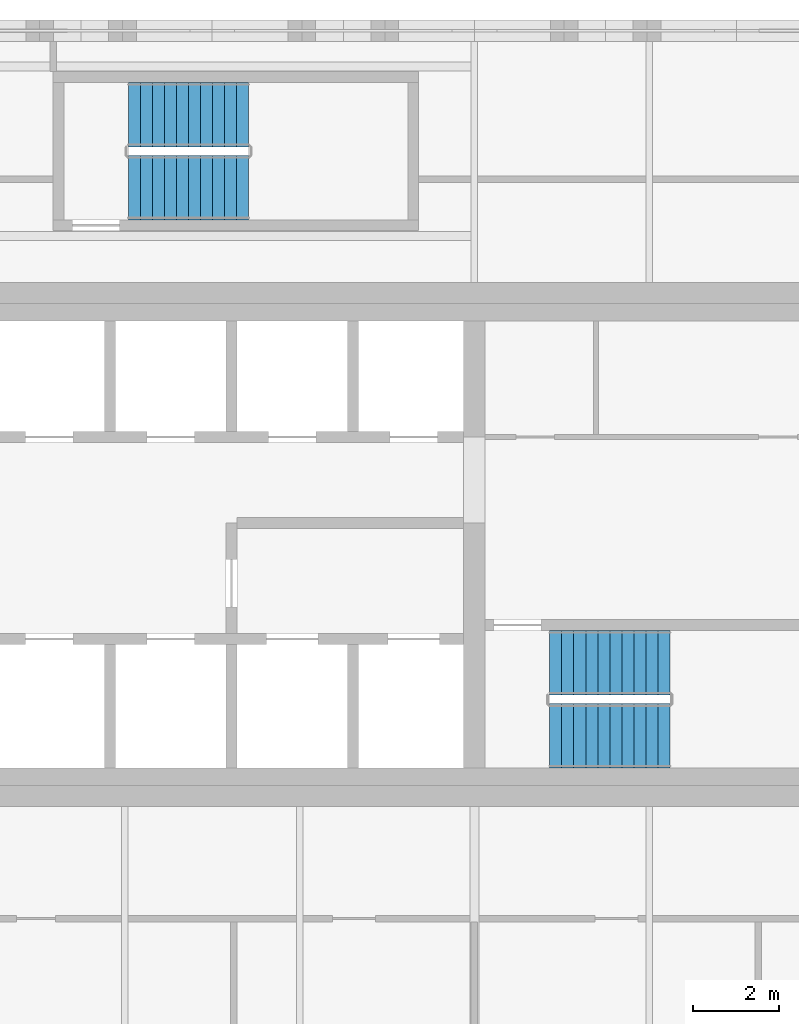
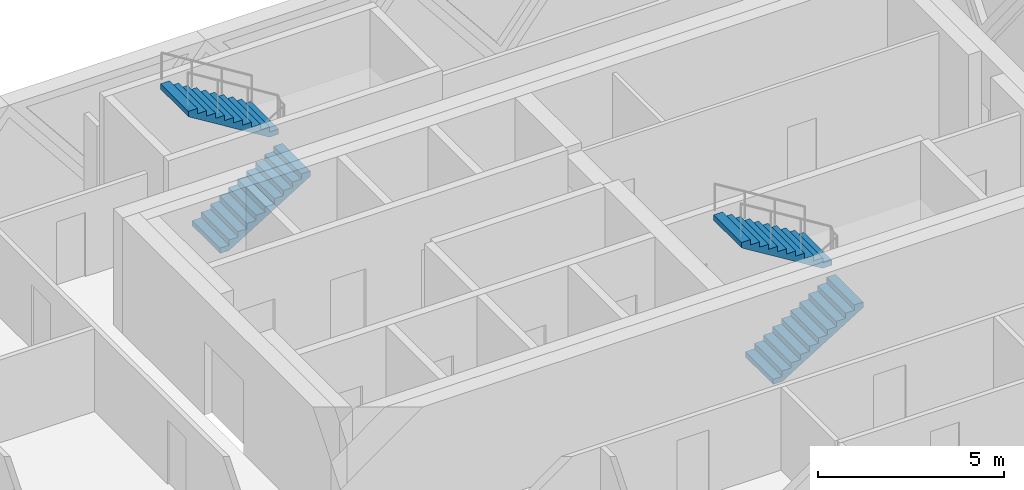
# One storey, part 22 of 24: 4 stair flights, 2 elements without a shape of their own.
"""IFC4 building model written with IfcOpenShell, lengths in metres."""

from ifc_helpers import new_model, si_unit, direction, frame, origin, place, context, subcontext, project, spatial, polyline, outline, extrude, material, type_object, element, aggregate, save


model = new_model("IFC4")

# Units and contexts
model_context = context("Model", 3, precision=1e-05, world=origin(), true_north=direction((0.0, 1.0)))
body_context = subcontext(model_context, "Body", "Model", "MODEL_VIEW")
ifc_project = project(units=[si_unit("LENGTHUNIT", "METRE"), si_unit("AREAUNIT", "SQUARE_METRE"), si_unit("VOLUMEUNIT", "CUBIC_METRE"), si_unit("PLANEANGLEUNIT", "RADIAN"), si_unit("MASSUNIT", "GRAM", prefix="KILO")], contexts=[model_context])

# Site, building, storey
site_placement = place(None, origin())
site = spatial("IfcSite", under=ifc_project, at=site_placement, CompositionType="ELEMENT")
building_placement = place(site_placement, origin())
building = spatial("IfcBuilding", under=site, at=building_placement, Name="Tessera Gate Towers", CompositionType="ELEMENT")
storey_placement = place(building_placement, frame((0.0, 0.0, 102.800048828125)))
storey = spatial("IfcBuildingStorey", under=building, at=storey_placement, Name="L25", CompositionType="ELEMENT", Elevation=102.800048828125)

# Stair, stair flights
ifc_material_1 = material(Name="Concrete C40/50", Category="concrete")
stair_type_1 = type_object("IfcStairType", Name="EXIT STAIR ST6 1500", PredefinedType="HALF_TURN_STAIR", material=ifc_material_1)
stair_1_placement = place(storey_placement, origin())
stair_1 = element("IfcStair", 1, at=stair_1_placement, inside=storey, type_object=stair_type_1, Name="L25 Protected Exit Stair ST6", PredefinedType="HALF_TURN_STAIR")
ifc_material_2 = material(Name="Concrete C40/50", Category="concrete")
stair_flight_type_1 = type_object("IfcStairFlightType", Name="EXIT STAIR FLIGHT ST6 1500", PredefinedType="STRAIGHT", material=ifc_material_2)
stair_flight_1_placement = place(storey_placement, frame((111.550048828125, 38.25, 0.0), z_axis=(0.0, 0.0, 1.0), x_axis=(1.0, 0.0, 0.0)))
stair_flight_1 = element("IfcStairFlight", 2, at=stair_flight_1_placement, type_object=stair_flight_type_1, Name="ST6 flight 1", NumberOfRisers=11, NumberOfTreads=10, PredefinedType="STRAIGHT", RiserHeight=0.172727273, TreadLength=0.28, context=body_context, shape_type="SweptSolid", body=[
    extrude(outline(polyline([(0.0, 0.0), (0.0, 0.172607421875), (0.280029296875, 0.172607421875), (0.280029296875, 0.345458984375), (0.56005859375, 0.345458984375), (0.56005859375, 0.51806640625), (0.840087890625, 0.51806640625), (0.840087890625, 0.69091796875), (1.1201171875, 0.69091796875), (1.1201171875, 0.863525390625), (1.39990234375, 0.863525390625), (1.39990234375, 1.036376953125), (1.679931640625, 1.036376953125), (1.679931640625, 1.208984375), (1.9599609375, 1.208984375), (1.9599609375, 1.3818359375), (2.239990234375, 1.3818359375), (2.239990234375, 1.554443359375), (2.52001953125, 1.554443359375), (2.52001953125, 1.727294921875), (2.800048828125, 1.727294921875), (2.800048828125, 1.89990234375), (2.800048828125, 1.551025390625), (0.285400390625, 0.0), (0.0, 0.0)])), frame((0.0, 0.75, 0.0), z_axis=(0.0, -1.0, 0.0), x_axis=(1.0, 0.0, 0.0)), (0.0, 0.0, 1.0), 1.5),
])
stair_flight_2_placement = place(storey_placement, frame((114.35009765625, 39.949951171875, 1.89990234375), z_axis=(0.0, 0.0, 1.0), x_axis=(-1.0, 0.0, 0.0)))
stair_flight_2 = element("IfcStairFlight", 3, at=stair_flight_2_placement, type_object=stair_flight_type_1, Name="ST6 flight 2", NumberOfRisers=11, NumberOfTreads=10, PredefinedType="STRAIGHT", RiserHeight=0.172727273, TreadLength=0.28, context=body_context, shape_type="SweptSolid", body=[
    extrude(outline(polyline([(0.0, 0.0), (0.0, 0.172607421875), (0.280029296875, 0.172607421875), (0.280029296875, 0.345458984375), (0.56005859375, 0.345458984375), (0.56005859375, 0.51806640625), (0.840087890625, 0.51806640625), (0.840087890625, 0.69091796875), (1.1201171875, 0.69091796875), (1.1201171875, 0.863525390625), (1.39990234375, 0.863525390625), (1.39990234375, 1.036376953125), (1.679931640625, 1.036376953125), (1.679931640625, 1.208984375), (1.9599609375, 1.208984375), (1.9599609375, 1.3818359375), (2.239990234375, 1.3818359375), (2.239990234375, 1.554443359375), (2.52001953125, 1.554443359375), (2.52001953125, 1.727294921875), (2.800048828125, 1.727294921875), (2.800048828125, 1.89990234375), (2.800048828125, 1.551025390625), (0.285400390625, 0.0), (0.0, 0.0)])), frame((0.0, 0.75, 0.0), z_axis=(0.0, -1.0, 0.0), x_axis=(1.0, 0.0, 0.0)), (0.0, 0.0, 1.0), 1.5),
])
aggregate(stair_1, [stair_flight_1, stair_flight_2])

ifc_material_3 = material(Name="Concrete C40/50", Category="concrete")
stair_type_2 = type_object("IfcStairType", Name="EXIT STAIR ST7 1500", PredefinedType="HALF_TURN_STAIR", material=ifc_material_3)
stair_2_placement = place(storey_placement, origin())
stair_2 = element("IfcStair", 4, at=stair_2_placement, inside=storey, type_object=stair_type_2, Name="L25 North Exit Stair ST7", PredefinedType="HALF_TURN_STAIR")
ifc_material_4 = material(Name="Concrete C40/50", Category="concrete")
stair_flight_type_2 = type_object("IfcStairFlightType", Name="EXIT STAIR FLIGHT ST7 1500", PredefinedType="STRAIGHT", material=ifc_material_4)
stair_flight_3_placement = place(storey_placement, frame((101.75, 51.0, 0.0), z_axis=(0.0, 0.0, 1.0), x_axis=(1.0, 0.0, 0.0)))
stair_flight_3 = element("IfcStairFlight", 5, at=stair_flight_3_placement, type_object=stair_flight_type_2, Name="ST7 flight 1", NumberOfRisers=11, NumberOfTreads=10, PredefinedType="STRAIGHT", RiserHeight=0.172727273, TreadLength=0.28, context=body_context, shape_type="SweptSolid", body=[
    extrude(outline(polyline([(0.0, 0.0), (0.0, 0.172607421875), (0.280029296875, 0.172607421875), (0.280029296875, 0.345458984375), (0.56005859375, 0.345458984375), (0.56005859375, 0.51806640625), (0.840087890625, 0.51806640625), (0.840087890625, 0.69091796875), (1.1201171875, 0.69091796875), (1.1201171875, 0.863525390625), (1.39990234375, 0.863525390625), (1.39990234375, 1.036376953125), (1.679931640625, 1.036376953125), (1.679931640625, 1.208984375), (1.9599609375, 1.208984375), (1.9599609375, 1.3818359375), (2.239990234375, 1.3818359375), (2.239990234375, 1.554443359375), (2.52001953125, 1.554443359375), (2.52001953125, 1.727294921875), (2.800048828125, 1.727294921875), (2.800048828125, 1.89990234375), (2.800048828125, 1.551025390625), (0.285400390625, 0.0), (0.0, 0.0)])), frame((0.0, 0.75, 0.0), z_axis=(0.0, -1.0, 0.0), x_axis=(1.0, 0.0, 0.0)), (0.0, 0.0, 1.0), 1.5),
])
stair_flight_4_placement = place(storey_placement, frame((104.550048828125, 52.699951171875, 1.89990234375), z_axis=(0.0, 0.0, 1.0), x_axis=(-1.0, 0.0, 0.0)))
stair_flight_4 = element("IfcStairFlight", 6, at=stair_flight_4_placement, type_object=stair_flight_type_2, Name="ST7 flight 2", NumberOfRisers=11, NumberOfTreads=10, PredefinedType="STRAIGHT", RiserHeight=0.172727273, TreadLength=0.28, context=body_context, shape_type="SweptSolid", body=[
    extrude(outline(polyline([(0.0, 0.0), (0.0, 0.172607421875), (0.280029296875, 0.172607421875), (0.280029296875, 0.345458984375), (0.56005859375, 0.345458984375), (0.56005859375, 0.51806640625), (0.840087890625, 0.51806640625), (0.840087890625, 0.69091796875), (1.1201171875, 0.69091796875), (1.1201171875, 0.863525390625), (1.39990234375, 0.863525390625), (1.39990234375, 1.036376953125), (1.679931640625, 1.036376953125), (1.679931640625, 1.208984375), (1.9599609375, 1.208984375), (1.9599609375, 1.3818359375), (2.239990234375, 1.3818359375), (2.239990234375, 1.554443359375), (2.52001953125, 1.554443359375), (2.52001953125, 1.727294921875), (2.800048828125, 1.727294921875), (2.800048828125, 1.89990234375), (2.800048828125, 1.551025390625), (0.285400390625, 0.0), (0.0, 0.0)])), frame((0.0, 0.75, 0.0), z_axis=(0.0, -1.0, 0.0), x_axis=(1.0, 0.0, 0.0)), (0.0, 0.0, 1.0), 1.5),
])
aggregate(stair_2, [stair_flight_3, stair_flight_4])

save(model, "model.ifc")
